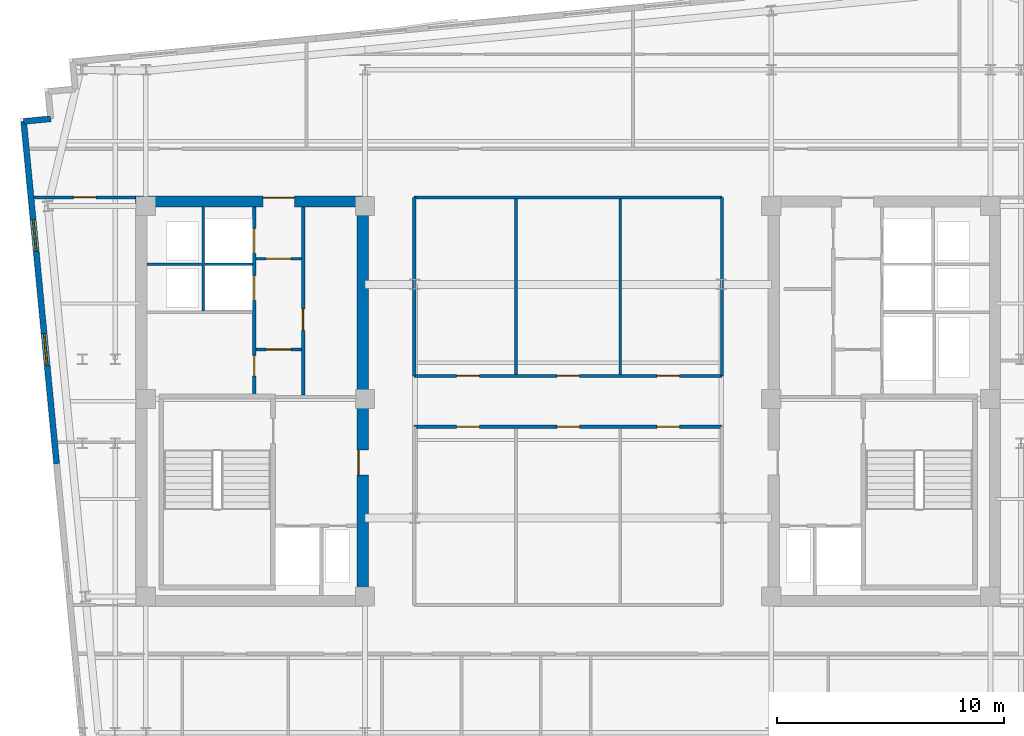
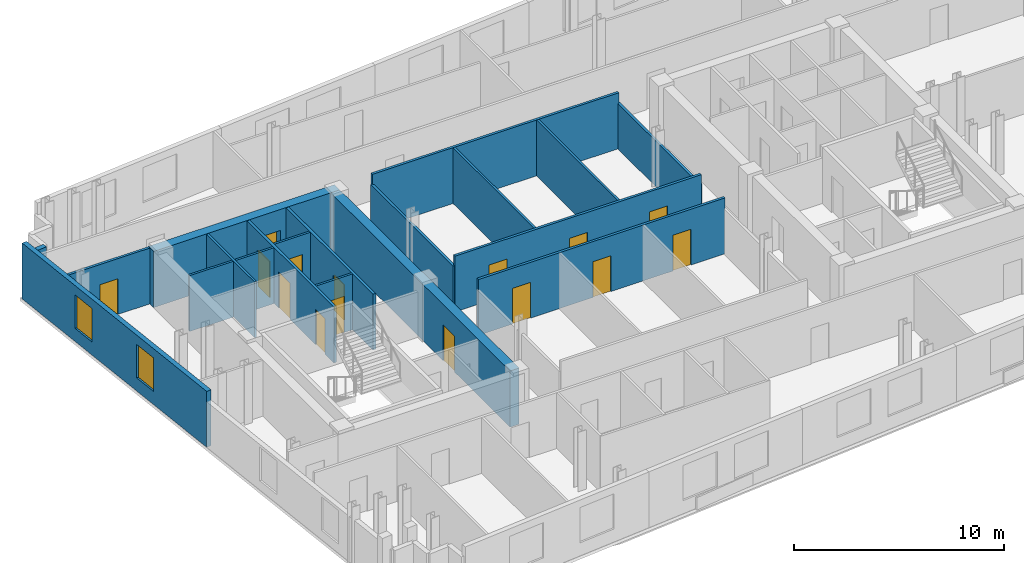
# One storey, part 4 of 9: 19 walls, 15 doors, 2 windows, 17 openings.
"""IFC4 building model written with IfcOpenShell, lengths in metres."""

from ifc_helpers import new_model, si_unit, direction, frame, frame_2d, origin, place, context, subcontext, project, spatial, rectangle, extrude, material, layer, layer_set, type_object, element, fill, save


model = new_model("IFC4")

# Units and contexts
model_context = context("Model", 3, precision=1e-05, world=origin(), true_north=direction((0.0, 1.0)))
body_context = subcontext(model_context, "Body", "Model", "MODEL_VIEW")
ifc_project = project(units=[si_unit("LENGTHUNIT", "METRE"), si_unit("AREAUNIT", "SQUARE_METRE"), si_unit("VOLUMEUNIT", "CUBIC_METRE"), si_unit("PLANEANGLEUNIT", "RADIAN"), si_unit("MASSUNIT", "GRAM", prefix="KILO")], contexts=[model_context])

# Site, building, storey
site_placement = place(None, origin())
site = spatial("IfcSite", under=ifc_project, at=site_placement, CompositionType="ELEMENT")
building_placement = place(site_placement, origin())
building = spatial("IfcBuilding", under=site, at=building_placement, Name="Velakula Bourse", CompositionType="ELEMENT")
storey_placement = place(building_placement, frame((0.0, 0.0, 272.39990234375)))
storey = spatial("IfcBuildingStorey", under=building, at=storey_placement, Name="L74", CompositionType="ELEMENT", Elevation=272.39990234375)

# Wall, opening, door
ifc_material_1 = material(Name="Concrete M50 (fck 50 MPa)", Category="concrete")
ifc_layer_1 = layer(ifc_material_1, 0.5, Name="Concrete M50 (fck 50 MPa)", Category="concrete")
ifc_layer_set_1 = layer_set([ifc_layer_1], Name="Concrete M50 (fck 50 MPa)")
wall_type_1 = type_object("IfcWallType", Name="WL-CORE-500", PredefinedType="SHEAR", material=ifc_layer_set_1)
wall_1_placement = place(storey_placement, frame((-19.050048828125, 8.800048828125, 0.0), z_axis=(0.0, 0.0, 1.0), x_axis=(1.0, 0.0, 0.0)))
wall_1 = element("IfcWall", 1, at=wall_1_placement, inside=storey, type_object=wall_type_1, Name="L74 Core W Shear Wall N", PredefinedType="SHEAR", context=body_context, shape_type="SweptSolid", body=[
    extrude(rectangle(XDim=10.25, YDim=0.5, at=frame_2d((5.125, 0.0))), origin(), (0.0, 0.0, 1.0), 3.27001953125),
])
opening_1_placement = place(wall_1_placement, frame((5.60009765625, 0.0, 0.0)))
opening_1 = element("IfcOpeningElement", 2, at=opening_1_placement, cuts=wall_1, Name="Opening D-LLW", PredefinedType="OPENING", context=body_context, shape_type="SweptSolid", body=[
    extrude(rectangle(XDim=1.39990234375, YDim=2.050048828125, at=frame_2d((0.699951171875, 1.02490234375))), frame((0.0, 0.260009765625, 0.0), z_axis=(0.0, -1.0, 0.0), x_axis=(1.0, 0.0, 0.0)), (0.0, 0.0, 1.0), 0.52001953125),
])
ifc_material_2 = material(Name="Fire-rated hardwood flush architectural door", Category="wood")
door_type_1 = type_object("IfcDoorType", Name="DR-DBL-FD60-1400", OperationType="DOUBLE_DOOR_SINGLE_SWING", PredefinedType="DOOR", material=ifc_material_2)
door_1_placement = place(opening_1_placement, origin())
door_1 = element("IfcDoor", 3, at=door_1_placement, inside=storey, type_object=door_type_1, Name="L74 Core W Lift Lobby Corridor Double Door", OperationType="DOUBLE_DOOR_SINGLE_SWING", OverallHeight=2.050048828125, OverallWidth=1.39990234375, PredefinedType="DOOR", context=body_context, shape_type="SweptSolid", body=[
    extrude(rectangle(XDim=1.39990234375, YDim=2.050048828125, at=frame_2d((0.699951171875, 1.02490234375))), frame((0.0, 0.19482421875, 0.0), z_axis=(0.0, -1.0, 0.0), x_axis=(1.0, 0.0, 0.0)), (0.0, 0.0, 1.0), 0.050048828125),
])
fill(opening_1, door_1)

wall_2_placement = place(storey_placement, frame((-9.050048828125, -8.550048828125, 0.0), z_axis=(0.0, 0.0, 1.0), x_axis=(0.0, 1.0, 0.0)))
wall_2 = element("IfcWall", 4, at=wall_2_placement, inside=storey, type_object=wall_type_1, Name="L74 Core W Shear Wall E", PredefinedType="SHEAR", context=body_context, shape_type="SweptSolid", body=[
    extrude(rectangle(XDim=17.10009765625, YDim=0.5, at=frame_2d((8.550048828125, 0.0))), origin(), (0.0, 0.0, 1.0), 3.27001953125),
])
opening_2_placement = place(wall_2_placement, frame((5.300048828125, 0.0, 0.0)))
opening_2 = element("IfcOpeningElement", 5, at=opening_2_placement, cuts=wall_2, Name="Opening D-FLW", PredefinedType="OPENING", context=body_context, shape_type="SweptSolid", body=[
    extrude(rectangle(XDim=1.10009765625, YDim=2.080078125, at=frame_2d((0.550048828125, 1.0400390625))), frame((0.0, 0.260009765625, 0.0), z_axis=(0.0, -1.0, 0.0), x_axis=(1.0, 0.0, 0.0)), (0.0, 0.0, 1.0), 0.52001953125),
])
ifc_material_3 = material(Name="Galvanised painted hollow steel fire door", Category="steel")
door_type_2 = type_object("IfcDoorType", Name="DR-FD120-1100", OperationType="NOTDEFINED", PredefinedType="DOOR", material=ifc_material_3)
door_2_placement = place(opening_2_placement, origin())
door_2 = element("IfcDoor", 6, at=door_2_placement, inside=storey, type_object=door_type_2, Name="L74 Firefighting Lobby W Corridor Fire Door", OperationType="SINGLE_SWING_LEFT", OverallHeight=2.080078125, OverallWidth=1.10009765625, PredefinedType="DOOR", context=body_context, shape_type="SweptSolid", body=[
    extrude(rectangle(XDim=1.10009765625, YDim=2.080078125, at=frame_2d((0.550048828125, 1.0400390625))), frame((0.0, 0.205078125, 0.0), z_axis=(0.0, -1.0, 0.0), x_axis=(1.0, 0.0, 0.0)), (0.0, 0.0, 1.0), 0.050048828125),
])
fill(opening_2, door_2)

# Wall, openings, windows
ifc_material_4 = material(Name="Buff kilned clay facing brick masonry", Category="masonry")
ifc_layer_2 = layer(ifc_material_4, 0.260009765625, Name="Buff kilned clay facing brick masonry", Category="masonry")
ifc_layer_set_2 = layer_set([ifc_layer_2], Name="Buff kilned clay facing brick masonry")
wall_type_2 = type_object("IfcWallType", Name="WL-EXT-BRK-260", PredefinedType="STANDARD", material=ifc_layer_set_2)
wall_3_placement = place(storey_placement, frame((-22.52734375, -2.75439453125, 0.0), z_axis=(0.0, 0.0, 1.0), x_axis=(-0.095850890337, 0.995395703638, 0.0)))
wall_3 = element("IfcWall", 7, at=wall_3_placement, inside=storey, type_object=wall_type_2, Name="L74 W Brick End Wall W2", PredefinedType="STANDARD", context=body_context, shape_type="SweptSolid", body=[
    extrude(rectangle(XDim=15.150146484375, YDim=0.260009765625, at=frame_2d((7.5751953125, 0.0))), origin(), (0.0, 0.0, 1.0), 3.25),
])
opening_3_placement = place(wall_3_placement, frame((4.35009765625, 0.0, 0.760009765625)))
opening_3 = element("IfcOpeningElement", 8, at=opening_3_placement, cuts=wall_3, Name="Opening W-03", PredefinedType="OPENING", context=body_context, shape_type="SweptSolid", body=[
    extrude(rectangle(XDim=1.39990234375, YDim=1.949951171875, at=frame_2d((0.699951171875, 0.97509765625))), frame((0.0, 0.139892578125, 0.0), z_axis=(0.0, -1.0, 0.0), x_axis=(1.0, 0.0, 0.0)), (0.0, 0.0, 1.0), 0.280029296875),
])
opening_4_placement = place(wall_3_placement, frame((9.39990234375, 0.0, 0.760009765625)))
opening_4 = element("IfcOpeningElement", 9, at=opening_4_placement, cuts=wall_3, Name="Opening W-03", PredefinedType="OPENING", context=body_context, shape_type="SweptSolid", body=[
    extrude(rectangle(XDim=1.39990234375, YDim=1.949951171875, at=frame_2d((0.699951171875, 0.97509765625))), frame((0.0, 0.139892578125, 0.0), z_axis=(0.0, -1.0, 0.0), x_axis=(1.0, 0.0, 0.0)), (0.0, 0.0, 1.0), 0.280029296875),
])
ifc_material_5 = material(Name="Double-glazed solar-control Low-E glass", Category="glass")
window_type = type_object("IfcWindowType", Name="WIN-TWR-1400x2100", PartitioningType="SINGLE_PANEL", PredefinedType="WINDOW", material=ifc_material_5)
window_1_placement = place(opening_3_placement, origin())
window_1 = element("IfcWindow", 10, at=window_1_placement, inside=storey, type_object=window_type, Name="L74 Deep-Set Recessed Window 1", OverallHeight=1.949951171875, OverallWidth=1.39990234375, PartitioningType="SINGLE_PANEL", PredefinedType="WINDOW", context=body_context, shape_type="SweptSolid", body=[
    extrude(rectangle(XDim=1.39990234375, YDim=1.949951171875, at=frame_2d((0.699951171875, 0.97509765625))), frame((0.0, 0.030029296875, 0.0), z_axis=(0.0, -1.0, 0.0), x_axis=(1.0, 0.0, 0.0)), (0.0, 0.0, 1.0), 0.06005859375),
])
fill(opening_3, window_1)
window_2_placement = place(opening_4_placement, origin())
window_2 = element("IfcWindow", 11, at=window_2_placement, inside=storey, type_object=window_type, Name="L74 Deep-Set Recessed Window 2", OverallHeight=1.949951171875, OverallWidth=1.39990234375, PartitioningType="SINGLE_PANEL", PredefinedType="WINDOW", context=body_context, shape_type="SweptSolid", body=[
    extrude(rectangle(XDim=1.39990234375, YDim=1.949951171875, at=frame_2d((0.699951171875, 0.97509765625))), frame((0.0, 0.030029296875, 0.0), z_axis=(0.0, -1.0, 0.0), x_axis=(1.0, 0.0, 0.0)), (0.0, 0.0, 1.0), 0.06005859375),
])
fill(opening_4, window_2)

# Wall
wall_4_placement = place(storey_placement, frame((-22.784912109375, 12.44091796875, 0.0), z_axis=(0.0, 0.0, 1.0), x_axis=(-0.995398960025, -0.095817067274, 0.0)))
element("IfcWall", 12, at=wall_4_placement, inside=storey, type_object=wall_type_2, Name="L74 Serrated Corner Brick Wall NW-4", PredefinedType="STANDARD", context=body_context, shape_type="SweptSolid", body=[
    extrude(rectangle(XDim=1.2001953125, YDim=0.260009765625, at=frame_2d((0.60009765625, 0.0))), origin(), (0.0, 0.0, 1.0), 2.565185546875),
])

# Wall, opening, door
ifc_material_6 = material(Name="Fire-rated double-layer gypsum drywall partition", Category="gypsum")
ifc_layer_3 = layer(ifc_material_6, 0.1201171875, Name="Fire-rated double-layer gypsum drywall partition", Category="gypsum")
ifc_layer_set_3 = layer_set([ifc_layer_3], Name="Fire-rated double-layer gypsum drywall partition")
wall_type_3 = type_object("IfcWallType", Name="WL-PART-120", PredefinedType="STANDARD", material=ifc_layer_set_3)
wall_5_placement = place(storey_placement, frame((-13.75, 2.280029296875, 0.0), z_axis=(0.0, 0.0, 1.0), x_axis=(1.0, 0.0, 0.0)))
wall_5 = element("IfcWall", 13, at=wall_5_placement, inside=storey, type_object=wall_type_3, Name="L74 Interior Partition WL-CRW-L74-LL-K3A", PredefinedType="STANDARD", context=body_context, shape_type="SweptSolid", body=[
    extrude(rectangle(XDim=2.0, YDim=0.1201171875, at=frame_2d((1.0, 0.0))), origin(), (0.0, 0.0, 1.0), 3.25),
])
opening_5_placement = place(wall_5_placement, frame((0.449951171875, 0.0, 0.0)))
opening_5 = element("IfcOpeningElement", 14, at=opening_5_placement, cuts=wall_5, Name="Opening D-LK3", PredefinedType="OPENING", context=body_context, shape_type="SweptSolid", body=[
    extrude(rectangle(XDim=1.10009765625, YDim=2.10009765625, at=frame_2d((0.550048828125, 1.050048828125))), frame((0.0, 0.070068359375, 0.0), z_axis=(0.0, -1.0, 0.0), x_axis=(1.0, 0.0, 0.0)), (0.0, 0.0, 1.0), 0.14013671875),
])
door_type_3 = type_object("IfcDoorType", Name="DR-FD60-1100x2100", OperationType="NOTDEFINED", PredefinedType="DOOR", material=ifc_material_2)
door_3_placement = place(opening_5_placement, origin())
door_3 = element("IfcDoor", 15, at=door_3_placement, inside=storey, type_object=door_type_3, Name="L74 Core W Lift Lobby Vestibule Door A", OperationType="SINGLE_SWING_RIGHT", OverallHeight=2.10009765625, OverallWidth=1.10009765625, PredefinedType="DOOR", context=body_context, shape_type="SweptSolid", body=[
    extrude(rectangle(XDim=1.10009765625, YDim=2.10009765625, at=frame_2d((0.550048828125, 1.050048828125))), frame((0.0, 0.02490234375, 0.0), z_axis=(0.0, -1.0, 0.0), x_axis=(1.0, 0.0, 0.0)), (0.0, 0.0, 1.0), 0.050048828125),
])
fill(opening_5, door_3)

wall_6_placement = place(storey_placement, frame((-13.75, 6.280029296875, 0.0), z_axis=(0.0, 0.0, 1.0), x_axis=(1.0, 0.0, 0.0)))
wall_6 = element("IfcWall", 16, at=wall_6_placement, inside=storey, type_object=wall_type_3, Name="L74 Interior Partition WL-CRW-L74-LL-K3B", PredefinedType="STANDARD", context=body_context, shape_type="SweptSolid", body=[
    extrude(rectangle(XDim=2.0, YDim=0.1201171875, at=frame_2d((1.0, 0.0))), origin(), (0.0, 0.0, 1.0), 3.25),
])
opening_6_placement = place(wall_6_placement, frame((0.449951171875, 0.0, 0.0)))
opening_6 = element("IfcOpeningElement", 17, at=opening_6_placement, cuts=wall_6, Name="Opening D-LK3", PredefinedType="OPENING", context=body_context, shape_type="SweptSolid", body=[
    extrude(rectangle(XDim=1.10009765625, YDim=2.10009765625, at=frame_2d((0.550048828125, 1.050048828125))), frame((0.0, 0.070068359375, 0.0), z_axis=(0.0, -1.0, 0.0), x_axis=(1.0, 0.0, 0.0)), (0.0, 0.0, 1.0), 0.14013671875),
])
door_4_placement = place(opening_6_placement, origin())
door_4 = element("IfcDoor", 18, at=door_4_placement, inside=storey, type_object=door_type_3, Name="L74 Core W Lift Lobby Vestibule Door B", OperationType="SINGLE_SWING_RIGHT", OverallHeight=2.10009765625, OverallWidth=1.10009765625, PredefinedType="DOOR", context=body_context, shape_type="SweptSolid", body=[
    extrude(rectangle(XDim=1.10009765625, YDim=2.10009765625, at=frame_2d((0.550048828125, 1.050048828125))), frame((0.0, 0.02490234375, 0.0), z_axis=(0.0, -1.0, 0.0), x_axis=(1.0, 0.0, 0.0)), (0.0, 0.0, 1.0), 0.050048828125),
])
fill(opening_6, door_4)

# Walls
wall_7_placement = place(storey_placement, frame((-18.550048828125, 6.030029296875, 0.0), z_axis=(0.0, 0.0, 1.0), x_axis=(1.0, 0.0, 0.0)))
element("IfcWall", 19, at=wall_7_placement, inside=storey, type_object=wall_type_3, Name="L74 Interior Partition WL-CRW-L74-RIS-MID", PredefinedType="STANDARD", context=body_context, shape_type="SweptSolid", body=[
    extrude(rectangle(XDim=2.400146484375, YDim=0.1201171875, at=frame_2d((1.2001953125, 0.0))), origin(), (0.0, 0.0, 1.0), 3.25),
])
wall_8_placement = place(storey_placement, frame((-16.074951171875, 3.97998046875, 0.0), z_axis=(0.0, 0.0, 1.0), x_axis=(0.0, 1.0, 0.0)))
element("IfcWall", 20, at=wall_8_placement, inside=storey, type_object=wall_type_3, Name="L74 Interior Partition WL-CRW-L74-RIS-F", PredefinedType="STANDARD", context=body_context, shape_type="SweptSolid", body=[
    extrude(rectangle(XDim=4.570068359375, YDim=0.1201171875, at=frame_2d((2.28515625, 0.0))), origin(), (0.0, 0.0, 1.0), 3.25),
])
wall_9_placement = place(storey_placement, frame((-16.0, 6.030029296875, 0.0), z_axis=(0.0, 0.0, 1.0), x_axis=(1.0, 0.0, 0.0)))
element("IfcWall", 21, at=wall_9_placement, inside=storey, type_object=wall_type_3, Name="L74 Interior Partition WL-CRW-L74-HI-DIV", PredefinedType="STANDARD", context=body_context, shape_type="SweptSolid", body=[
    extrude(rectangle(XDim=2.10009765625, YDim=0.1201171875, at=frame_2d((1.050048828125, 0.0))), origin(), (0.0, 0.0, 1.0), 3.25),
])

# Wall, opening, door
ifc_layer_4 = layer(ifc_material_6, 0.139892578125, Name="Fire-rated double-layer gypsum drywall partition", Category="gypsum")
ifc_layer_set_4 = layer_set([ifc_layer_4], Name="Fire-rated double-layer gypsum drywall partition")
wall_type_4 = type_object("IfcWallType", Name="WL-PART-140", PredefinedType="STANDARD", material=ifc_layer_set_4)
wall_10_placement = place(storey_placement, frame((-23.526611328125, 8.97998046875, 0.0), z_axis=(0.0, 0.0, 1.0), x_axis=(1.0, 0.0, 0.0)))
wall_10 = element("IfcWall", 22, at=wall_10_placement, inside=storey, type_object=wall_type_4, Name="L74 Interior Partition WL-INT-L74-W-NC", PredefinedType="STANDARD", context=body_context, shape_type="SweptSolid", body=[
    extrude(rectangle(XDim=4.4765625, YDim=0.139892578125, at=frame_2d((2.23828125, 0.0))), origin(), (0.0, 0.0, 1.0), 3.25),
])
opening_7_placement = place(wall_10_placement, frame((1.73828125, 0.0, 0.0)))
opening_7 = element("IfcOpeningElement", 23, at=opening_7_placement, cuts=wall_10, Name="Opening D-OF1", PredefinedType="OPENING", context=body_context, shape_type="SweptSolid", body=[
    extrude(rectangle(XDim=1.0, YDim=2.080078125, at=frame_2d((0.5, 1.0400390625))), frame((0.0, 0.079833984375, 0.0), z_axis=(0.0, -1.0, 0.0), x_axis=(1.0, 0.0, 0.0)), (0.0, 0.0, 1.0), 0.159912109375),
])
door_type_4 = type_object("IfcDoorType", Name="DR-OFF-1000", OperationType="NOTDEFINED", PredefinedType="DOOR", material=ifc_material_2)
door_5_placement = place(opening_7_placement, origin())
door_5 = element("IfcDoor", 24, at=door_5_placement, inside=storey, type_object=door_type_4, Name="L74 General Counsel Office Door", OperationType="SINGLE_SWING_RIGHT", OverallHeight=2.080078125, OverallWidth=1.0, PredefinedType="DOOR", context=body_context, shape_type="SweptSolid", body=[
    extrude(rectangle(XDim=1.0, YDim=2.080078125, at=frame_2d((0.5, 1.0400390625))), frame((0.0, 0.02490234375, 0.0), z_axis=(0.0, -1.0, 0.0), x_axis=(1.0, 0.0, 0.0)), (0.0, 0.0, 1.0), 0.050048828125),
])
fill(opening_7, door_5)

# Wall, openings, doors
wall_11_placement = place(storey_placement, frame((-6.780029296875, 1.1201171875, 0.0), z_axis=(0.0, 0.0, 1.0), x_axis=(1.0, 0.0, 0.0)))
wall_11 = element("IfcWall", 25, at=wall_11_placement, inside=storey, type_object=wall_type_4, Name="L74 Interior Partition WL-INT-L74-MN-IN", PredefinedType="STANDARD", context=body_context, shape_type="SweptSolid", body=[
    extrude(rectangle(XDim=13.56005859375, YDim=0.139892578125, at=frame_2d((6.780029296875, 0.0))), origin(), (0.0, 0.0, 1.0), 3.25),
])
opening_8_placement = place(wall_11_placement, frame((1.865966796875, 0.0, 0.0)))
opening_8 = element("IfcOpeningElement", 26, at=opening_8_placement, cuts=wall_11, Name="Opening D-OF1", PredefinedType="OPENING", context=body_context, shape_type="SweptSolid", body=[
    extrude(rectangle(XDim=1.0, YDim=2.080078125, at=frame_2d((0.5, 1.0400390625))), frame((0.0, 0.079833984375, 0.0), z_axis=(0.0, -1.0, 0.0), x_axis=(1.0, 0.0, 0.0)), (0.0, 0.0, 1.0), 0.159912109375),
])
opening_9_placement = place(wall_11_placement, frame((6.280029296875, 0.0, 0.0)))
opening_9 = element("IfcOpeningElement", 27, at=opening_9_placement, cuts=wall_11, Name="Opening D-OF1", PredefinedType="OPENING", context=body_context, shape_type="SweptSolid", body=[
    extrude(rectangle(XDim=1.0, YDim=2.080078125, at=frame_2d((0.5, 1.0400390625))), frame((0.0, 0.079833984375, 0.0), z_axis=(0.0, -1.0, 0.0), x_axis=(1.0, 0.0, 0.0)), (0.0, 0.0, 1.0), 0.159912109375),
])
opening_10_placement = place(wall_11_placement, frame((10.694091796875, 0.0, 0.0)))
opening_10 = element("IfcOpeningElement", 28, at=opening_10_placement, cuts=wall_11, Name="Opening D-OF1", PredefinedType="OPENING", context=body_context, shape_type="SweptSolid", body=[
    extrude(rectangle(XDim=1.0, YDim=2.080078125, at=frame_2d((0.5, 1.0400390625))), frame((0.0, 0.079833984375, 0.0), z_axis=(0.0, -1.0, 0.0), x_axis=(1.0, 0.0, 0.0)), (0.0, 0.0, 1.0), 0.159912109375),
])
door_6_placement = place(opening_8_placement, origin())
door_6 = element("IfcDoor", 29, at=door_6_placement, inside=storey, type_object=door_type_4, Name="L74 Asset Allocation Office Door", OperationType="SINGLE_SWING_LEFT", OverallHeight=2.080078125, OverallWidth=1.0, PredefinedType="DOOR", context=body_context, shape_type="SweptSolid", body=[
    extrude(rectangle(XDim=1.0, YDim=2.080078125, at=frame_2d((0.5, 1.0400390625))), frame((0.0, 0.02490234375, 0.0), z_axis=(0.0, -1.0, 0.0), x_axis=(1.0, 0.0, 0.0)), (0.0, 0.0, 1.0), 0.050048828125),
])
fill(opening_8, door_6)
door_7_placement = place(opening_9_placement, origin())
door_7 = element("IfcDoor", 30, at=door_7_placement, inside=storey, type_object=door_type_4, Name="L74 Chief Risk Officer Chamber Door", OperationType="SINGLE_SWING_RIGHT", OverallHeight=2.080078125, OverallWidth=1.0, PredefinedType="DOOR", context=body_context, shape_type="SweptSolid", body=[
    extrude(rectangle(XDim=1.0, YDim=2.080078125, at=frame_2d((0.5, 1.0400390625))), frame((0.0, 0.02490234375, 0.0), z_axis=(0.0, -1.0, 0.0), x_axis=(1.0, 0.0, 0.0)), (0.0, 0.0, 1.0), 0.050048828125),
])
fill(opening_9, door_7)
door_8_placement = place(opening_10_placement, origin())
door_8 = element("IfcDoor", 31, at=door_8_placement, inside=storey, type_object=door_type_4, Name="L74 Company Secretary Office Door", OperationType="SINGLE_SWING_LEFT", OverallHeight=2.080078125, OverallWidth=1.0, PredefinedType="DOOR", context=body_context, shape_type="SweptSolid", body=[
    extrude(rectangle(XDim=1.0, YDim=2.080078125, at=frame_2d((0.5, 1.0400390625))), frame((0.0, 0.02490234375, 0.0), z_axis=(0.0, -1.0, 0.0), x_axis=(1.0, 0.0, 0.0)), (0.0, 0.0, 1.0), 0.050048828125),
])
fill(opening_10, door_8)

# Walls
wall_12_placement = place(storey_placement, frame((-6.780029296875, 8.97998046875, 0.0), z_axis=(0.0, 0.0, 1.0), x_axis=(1.0, 0.0, 0.0)))
element("IfcWall", 32, at=wall_12_placement, inside=storey, type_object=wall_type_4, Name="L74 Interior Partition WL-INT-L74-MN-OUT", PredefinedType="STANDARD", context=body_context, shape_type="SweptSolid", body=[
    extrude(rectangle(XDim=13.56005859375, YDim=0.139892578125, at=frame_2d((6.780029296875, 0.0))), origin(), (0.0, 0.0, 1.0), 3.25),
])
for number, where, z_axis, x_axis, name in (
    (33, (-6.780029296875, 1.1201171875, 0.0), (0.0, 0.0, 1.0), (0.0, 1.0, 0.0), "L74 Interior Partition WL-INT-L74-MN-W"),
    (34, (6.780029296875, 1.1201171875, 0.0), (0.0, 0.0, 1.0), (0.0, 1.0, 0.0), "L74 Interior Partition WL-INT-L74-MN-E"),
):
    element("IfcWall", number, at=place(storey_placement, frame(where, z_axis=z_axis, x_axis=x_axis)), inside=storey, type_object=wall_type_4, Name=name, PredefinedType="STANDARD", context=body_context, shape_type="SweptSolid", body=[
        extrude(rectangle(XDim=7.85986328125, YDim=0.139892578125, at=frame_2d((3.929931640625, 0.0))), origin(), (0.0, 0.0, 1.0), 2.64501953125),
    ])
for number, where, z_axis, x_axis, name in (
    (35, (-2.300048828125, 1.18994140625, 0.0), (0.0, 0.0, 1.0), (0.0, 1.0, 0.0), "L74 Interior Partition WL-INT-L74-MN-V1"),
    (36, (2.300048828125, 1.18994140625, 0.0), (0.0, 0.0, 1.0), (0.0, 1.0, 0.0), "L74 Interior Partition WL-INT-L74-MN-V2"),
):
    element("IfcWall", number, at=place(storey_placement, frame(where, z_axis=z_axis, x_axis=x_axis)), inside=storey, type_object=wall_type_4, Name=name, PredefinedType="STANDARD", context=body_context, shape_type="SweptSolid", body=[
        extrude(rectangle(XDim=7.719970703125, YDim=0.1201171875, at=frame_2d((3.85986328125, 0.0))), origin(), (0.0, 0.0, 1.0), 3.25),
    ])

# Wall, openings, doors
wall_13_placement = place(storey_placement, frame((-6.780029296875, -1.1201171875, 0.0), z_axis=(0.0, 0.0, 1.0), x_axis=(1.0, 0.0, 0.0)))
wall_13 = element("IfcWall", 37, at=wall_13_placement, inside=storey, type_object=wall_type_4, Name="L74 Interior Partition WL-INT-L74-MS-IN", PredefinedType="STANDARD", context=body_context, shape_type="SweptSolid", body=[
    extrude(rectangle(XDim=13.56005859375, YDim=0.139892578125, at=frame_2d((6.780029296875, 0.0))), origin(), (0.0, 0.0, 1.0), 3.25),
])
opening_11_placement = place(wall_13_placement, frame((1.865966796875, 0.0, 0.0)))
opening_11 = element("IfcOpeningElement", 38, at=opening_11_placement, cuts=wall_13, Name="Opening D-OF1", PredefinedType="OPENING", context=body_context, shape_type="SweptSolid", body=[
    extrude(rectangle(XDim=1.0, YDim=2.080078125, at=frame_2d((0.5, 1.0400390625))), frame((0.0, 0.079833984375, 0.0), z_axis=(0.0, -1.0, 0.0), x_axis=(1.0, 0.0, 0.0)), (0.0, 0.0, 1.0), 0.159912109375),
])
opening_12_placement = place(wall_13_placement, frame((6.280029296875, 0.0, 0.0)))
opening_12 = element("IfcOpeningElement", 39, at=opening_12_placement, cuts=wall_13, Name="Opening D-OF1", PredefinedType="OPENING", context=body_context, shape_type="SweptSolid", body=[
    extrude(rectangle(XDim=1.0, YDim=2.080078125, at=frame_2d((0.5, 1.0400390625))), frame((0.0, 0.079833984375, 0.0), z_axis=(0.0, -1.0, 0.0), x_axis=(1.0, 0.0, 0.0)), (0.0, 0.0, 1.0), 0.159912109375),
])
opening_13_placement = place(wall_13_placement, frame((10.694091796875, 0.0, 0.0)))
opening_13 = element("IfcOpeningElement", 40, at=opening_13_placement, cuts=wall_13, Name="Opening D-OF1", PredefinedType="OPENING", context=body_context, shape_type="SweptSolid", body=[
    extrude(rectangle(XDim=1.0, YDim=2.080078125, at=frame_2d((0.5, 1.0400390625))), frame((0.0, 0.079833984375, 0.0), z_axis=(0.0, -1.0, 0.0), x_axis=(1.0, 0.0, 0.0)), (0.0, 0.0, 1.0), 0.159912109375),
])
door_9_placement = place(opening_11_placement, origin())
door_9 = element("IfcDoor", 41, at=door_9_placement, inside=storey, type_object=door_type_4, Name="L74 General Counsel Office Door", OperationType="SINGLE_SWING_RIGHT", OverallHeight=2.080078125, OverallWidth=1.0, PredefinedType="DOOR", context=body_context, shape_type="SweptSolid", body=[
    extrude(rectangle(XDim=1.0, YDim=2.080078125, at=frame_2d((0.5, 1.0400390625))), frame((0.0, 0.02490234375, 0.0), z_axis=(0.0, -1.0, 0.0), x_axis=(1.0, 0.0, 0.0)), (0.0, 0.0, 1.0), 0.050048828125),
])
fill(opening_11, door_9)
door_10_placement = place(opening_12_placement, origin())
door_10 = element("IfcDoor", 42, at=door_10_placement, inside=storey, type_object=door_type_4, Name="L74 Broadcast Control Office Door", OperationType="SINGLE_SWING_LEFT", OverallHeight=2.080078125, OverallWidth=1.0, PredefinedType="DOOR", context=body_context, shape_type="SweptSolid", body=[
    extrude(rectangle(XDim=1.0, YDim=2.080078125, at=frame_2d((0.5, 1.0400390625))), frame((0.0, 0.02490234375, 0.0), z_axis=(0.0, -1.0, 0.0), x_axis=(1.0, 0.0, 0.0)), (0.0, 0.0, 1.0), 0.050048828125),
])
fill(opening_12, door_10)
door_11_placement = place(opening_13_placement, origin())
door_11 = element("IfcDoor", 43, at=door_11_placement, inside=storey, type_object=door_type_4, Name="L74 Primary Dealer Office Door", OperationType="SINGLE_SWING_RIGHT", OverallHeight=2.080078125, OverallWidth=1.0, PredefinedType="DOOR", context=body_context, shape_type="SweptSolid", body=[
    extrude(rectangle(XDim=1.0, YDim=2.080078125, at=frame_2d((0.5, 1.0400390625))), frame((0.0, 0.02490234375, 0.0), z_axis=(0.0, -1.0, 0.0), x_axis=(1.0, 0.0, 0.0)), (0.0, 0.0, 1.0), 0.050048828125),
])
fill(opening_13, door_11)

# Wall, opening, door
ifc_material_7 = material(Name="Autoclaved aerated concrete blockwork masonry", Category="masonry")
ifc_layer_5 = layer(ifc_material_7, 0.14990234375, Name="Autoclaved aerated concrete blockwork masonry", Category="masonry")
ifc_layer_set_5 = layer_set([ifc_layer_5], Name="Autoclaved aerated concrete blockwork masonry")
wall_type_5 = type_object("IfcWallType", Name="WL-SHAFT-150", PredefinedType="STANDARD", material=ifc_layer_set_5)
wall_14_placement = place(storey_placement, frame((-11.675048828125, 0.27001953125, 0.0), z_axis=(0.0, 0.0, 1.0), x_axis=(0.0, 1.0, 0.0)))
wall_14 = element("IfcWall", 44, at=wall_14_placement, inside=storey, type_object=wall_type_5, Name="L74 Interior Partition WL-CRW-L74-BANK-F", PredefinedType="STANDARD", context=body_context, shape_type="SweptSolid", body=[
    extrude(rectangle(XDim=8.280029296875, YDim=0.14990234375, at=frame_2d((4.14013671875, 0.0))), origin(), (0.0, 0.0, 1.0), 3.25),
])
opening_14_placement = place(wall_14_placement, frame((2.85009765625, 0.0, 0.0)))
opening_14 = element("IfcOpeningElement", 45, at=opening_14_placement, cuts=wall_14, Name="Opening D-RC4", PredefinedType="OPENING", context=body_context, shape_type="SweptSolid", body=[
    extrude(rectangle(XDim=0.949951171875, YDim=2.050048828125, at=frame_2d((0.47509765625, 1.02490234375))), frame((0.0, 0.0849609375, 0.0), z_axis=(0.0, -1.0, 0.0), x_axis=(1.0, 0.0, 0.0)), (0.0, 0.0, 1.0), 0.169921875),
])
door_type_5 = type_object("IfcDoorType", Name="DR-FD60-950x2050", OperationType="NOTDEFINED", PredefinedType="DOOR", material=ifc_material_2)
door_12_placement = place(opening_14_placement, origin())
door_12 = element("IfcDoor", 46, at=door_12_placement, inside=storey, type_object=door_type_5, Name="L74 Reclaimed Multi-Bay Archive Room Door", OperationType="SINGLE_SWING_RIGHT", OverallHeight=2.050048828125, OverallWidth=0.949951171875, PredefinedType="DOOR", context=body_context, shape_type="SweptSolid", body=[
    extrude(rectangle(XDim=0.949951171875, YDim=2.050048828125, at=frame_2d((0.47509765625, 1.02490234375))), frame((0.0, 0.02490234375, 0.0), z_axis=(0.0, -1.0, 0.0), x_axis=(1.0, 0.0, 0.0)), (0.0, 0.0, 1.0), 0.050048828125),
])
fill(opening_14, door_12)

# Wall, openings, doors
wall_15_placement = place(storey_placement, frame((-13.824951171875, 0.27001953125, 0.0), z_axis=(0.0, 0.0, 1.0), x_axis=(0.0, 1.0, 0.0)))
wall_15 = element("IfcWall", 47, at=wall_15_placement, inside=storey, type_object=wall_type_5, Name="L74 Interior Partition WL-CRW-L74-OUT-F", PredefinedType="STANDARD", context=body_context, shape_type="SweptSolid", body=[
    extrude(rectangle(XDim=8.280029296875, YDim=0.14990234375, at=frame_2d((4.14013671875, 0.0))), origin(), (0.0, 0.0, 1.0), 3.25),
])
opening_15_placement = place(wall_15_placement, frame((4.175048828125, 0.0, 0.0)))
opening_15 = element("IfcOpeningElement", 48, at=opening_15_placement, cuts=wall_15, Name="Opening LD-P9", PredefinedType="OPENING", context=body_context, shape_type="SweptSolid", body=[
    extrude(rectangle(XDim=1.10009765625, YDim=2.10009765625, at=frame_2d((0.550048828125, 1.050048828125))), frame((0.0, 0.0849609375, 0.0), z_axis=(0.0, -1.0, 0.0), x_axis=(1.0, 0.0, 0.0)), (0.0, 0.0, 1.0), 0.169921875),
])
opening_16_placement = place(wall_15_placement, frame((6.2451171875, 0.0, 0.0)))
opening_16 = element("IfcOpeningElement", 49, at=opening_16_placement, cuts=wall_15, Name="Opening LD-P10", PredefinedType="OPENING", context=body_context, shape_type="SweptSolid", body=[
    extrude(rectangle(XDim=1.10009765625, YDim=2.10009765625, at=frame_2d((0.550048828125, 1.050048828125))), frame((0.0, 0.0849609375, 0.0), z_axis=(0.0, -1.0, 0.0), x_axis=(1.0, 0.0, 0.0)), (0.0, 0.0, 1.0), 0.169921875),
])
opening_17_placement = place(wall_15_placement, frame((0.85009765625, 0.0, 0.0)))
opening_17 = element("IfcOpeningElement", 50, at=opening_17_placement, cuts=wall_15, Name="Opening D-CR3", PredefinedType="OPENING", context=body_context, shape_type="SweptSolid", body=[
    extrude(rectangle(XDim=0.89990234375, YDim=2.050048828125, at=frame_2d((0.449951171875, 1.02490234375))), frame((0.0, 0.0849609375, 0.0), z_axis=(0.0, -1.0, 0.0), x_axis=(1.0, 0.0, 0.0)), (0.0, 0.0, 1.0), 0.169921875),
])
door_type_6 = type_object("IfcDoorType", Name="DR-INT-900", OperationType="NOTDEFINED", PredefinedType="DOOR", material=ifc_material_2)
door_13_placement = place(opening_17_placement, origin())
door_13 = element("IfcDoor", 51, at=door_13_placement, inside=storey, type_object=door_type_6, Name="L74 Core Stationery and Mail Room Door", OperationType="SINGLE_SWING_RIGHT", OverallHeight=2.050048828125, OverallWidth=0.89990234375, PredefinedType="DOOR", context=body_context, shape_type="SweptSolid", body=[
    extrude(rectangle(XDim=0.89990234375, YDim=2.050048828125, at=frame_2d((0.449951171875, 1.02490234375))), frame((0.0, 0.02490234375, 0.0), z_axis=(0.0, -1.0, 0.0), x_axis=(1.0, 0.0, 0.0)), (0.0, 0.0, 1.0), 0.050048828125),
])
fill(opening_17, door_13)
ifc_material_8 = material(Name="Brushed grade 316 stainless steel", Category="steel")
door_type_7 = type_object("IfcDoorType", Name="DR-SLIDE-LD-1100", OperationType="DOUBLE_DOOR_SLIDING", PredefinedType="DOOR", material=ifc_material_8)
door_14_placement = place(opening_15_placement, origin())
door_14 = element("IfcDoor", 52, at=door_14_placement, inside=storey, type_object=door_type_7, Name="L74 Passenger Lift P9 Sliding Landing Door", OperationType="DOUBLE_DOOR_SLIDING", OverallHeight=2.10009765625, OverallWidth=1.10009765625, PredefinedType="DOOR", context=body_context, shape_type="SweptSolid", body=[
    extrude(rectangle(XDim=1.10009765625, YDim=2.10009765625, at=frame_2d((0.550048828125, 1.050048828125))), frame((0.0, 0.02490234375, 0.0), z_axis=(0.0, -1.0, 0.0), x_axis=(1.0, 0.0, 0.0)), (0.0, 0.0, 1.0), 0.050048828125),
])
fill(opening_15, door_14)
door_15_placement = place(opening_16_placement, origin())
door_15 = element("IfcDoor", 53, at=door_15_placement, inside=storey, type_object=door_type_7, Name="L74 Passenger Lift P10 Sliding Landing Door", OperationType="DOUBLE_DOOR_SLIDING", OverallHeight=2.10009765625, OverallWidth=1.10009765625, PredefinedType="DOOR", context=body_context, shape_type="SweptSolid", body=[
    extrude(rectangle(XDim=1.10009765625, YDim=2.10009765625, at=frame_2d((0.550048828125, 1.050048828125))), frame((0.0, 0.02490234375, 0.0), z_axis=(0.0, -1.0, 0.0), x_axis=(1.0, 0.0, 0.0)), (0.0, 0.0, 1.0), 0.050048828125),
])
fill(opening_16, door_15)

save(model, "model.ifc")
